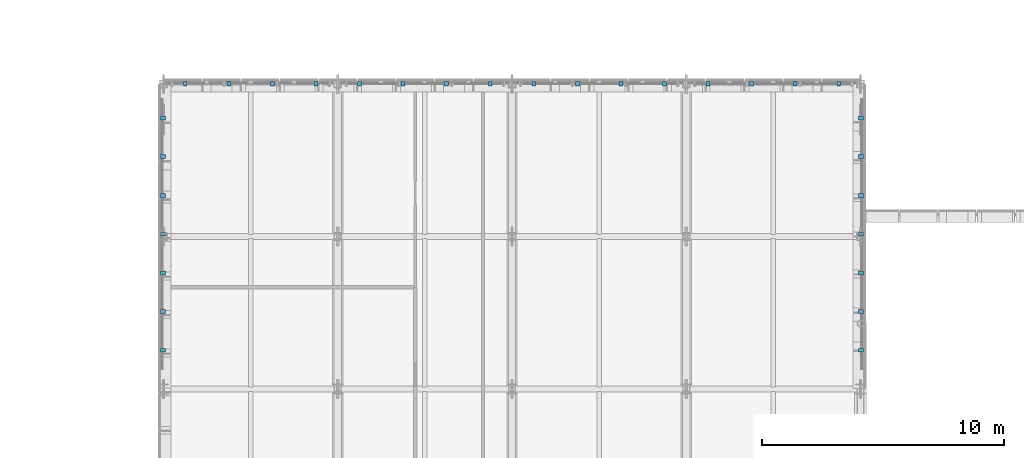
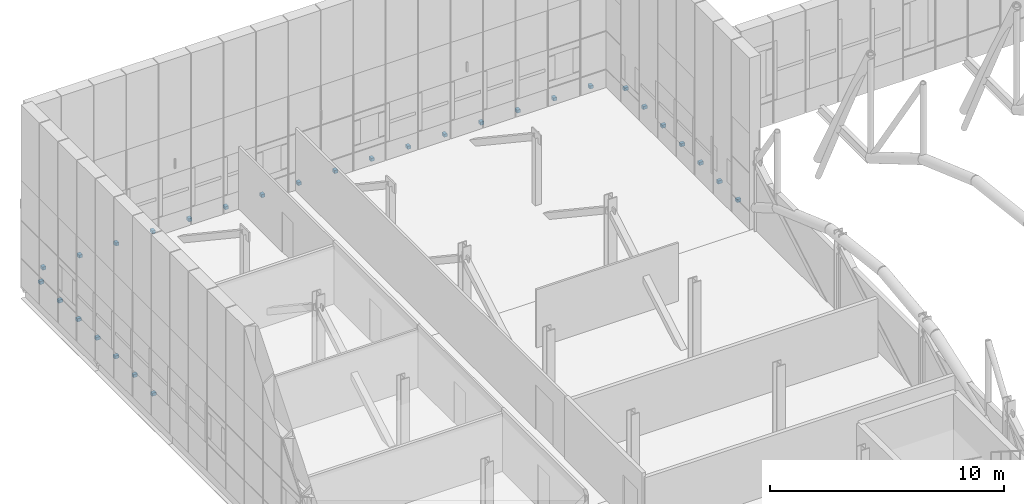
# One storey, part 123 of 144: 30 discrete accessories.
"""IFC4 building model written with IfcOpenShell, lengths in metres."""

from ifc_helpers import new_model, si_unit, direction, frame, origin, origin_2d, place, context, subcontext, project, spatial, rectangle, extrude, material, type_object, element, save


model = new_model("IFC4")

# Units and contexts
model_context = context("Model", 3, precision=1e-05, world=origin(), true_north=direction((0.0, 1.0)))
body_context = subcontext(model_context, "Body", "Model", "MODEL_VIEW")
ifc_project = project(units=[si_unit("LENGTHUNIT", "METRE"), si_unit("AREAUNIT", "SQUARE_METRE"), si_unit("VOLUMEUNIT", "CUBIC_METRE"), si_unit("PLANEANGLEUNIT", "RADIAN"), si_unit("MASSUNIT", "GRAM", prefix="KILO")], contexts=[model_context])

# Site, building, storey
site_placement = place(None, origin())
site = spatial("IfcSite", under=ifc_project, at=site_placement, CompositionType="ELEMENT")
building_placement = place(site_placement, origin())
building = spatial("IfcBuilding", under=site, at=building_placement, Name="Yarey Park Central Fire Station", CompositionType="ELEMENT")
storey_placement = place(building_placement, frame((0.0, 0.0, 10.199951171875)))
storey = spatial("IfcBuildingStorey", under=building, at=storey_placement, Name="L03", CompositionType="ELEMENT", Elevation=10.199951171875)

# Discrete accessories
ifc_material = material(Name="Stainless Steel AISI 316L", Category="steel")
discrete_accessory_type = type_object("IfcDiscreteAccessoryType", Name="ENV_BRK_SS1", PredefinedType="BRACKET", material=ifc_material)
for number, where, z_axis, x_axis, name in (
    (1, (29.699951171875, 99.010009765625, 0.0), (0.0, 0.0, 1.0), (1.0, 0.0, 0.0), "BRK_SCR_L03_N_001"),
    (2, (31.5, 99.010009765625, 0.0), (0.0, 0.0, 1.0), (1.0, 0.0, 0.0), "BRK_SCR_L03_N_002"),
    (3, (33.300048828125, 99.010009765625, 0.0), (0.0, 0.0, 1.0), (1.0, 0.0, 0.0), "BRK_SCR_L03_N_003"),
    (4, (35.10009765625, 99.010009765625, 0.0), (0.0, 0.0, 1.0), (1.0, 0.0, 0.0), "BRK_SCR_L03_N_004"),
    (5, (36.89990234375, 99.010009765625, 0.0), (0.0, 0.0, 1.0), (1.0, 0.0, 0.0), "BRK_SCR_L03_N_005"),
    (6, (38.699951171875, 99.010009765625, 0.0), (0.0, 0.0, 1.0), (1.0, 0.0, 0.0), "BRK_SCR_L03_N_006"),
    (7, (40.5, 99.010009765625, 0.0), (0.0, 0.0, 1.0), (1.0, 0.0, 0.0), "BRK_SCR_L03_N_007"),
    (8, (42.300048828125, 99.010009765625, 0.0), (0.0, 0.0, 1.0), (1.0, 0.0, 0.0), "BRK_SCR_L03_N_008"),
    (9, (44.10009765625, 99.010009765625, 0.0), (0.0, 0.0, 1.0), (1.0, 0.0, 0.0), "BRK_SCR_L03_N_009"),
    (10, (45.89990234375, 99.010009765625, 0.0), (0.0, 0.0, 1.0), (1.0, 0.0, 0.0), "BRK_SCR_L03_N_010"),
    (11, (47.699951171875, 99.010009765625, 0.0), (0.0, 0.0, 1.0), (1.0, 0.0, 0.0), "BRK_SCR_L03_N_011"),
    (12, (49.5, 99.010009765625, 0.0), (0.0, 0.0, 1.0), (1.0, 0.0, 0.0), "BRK_SCR_L03_N_012"),
    (13, (51.300048828125, 99.010009765625, 0.0), (0.0, 0.0, 1.0), (1.0, 0.0, 0.0), "BRK_SCR_L03_N_013"),
    (14, (53.10009765625, 99.010009765625, 0.0), (0.0, 0.0, 1.0), (1.0, 0.0, 0.0), "BRK_SCR_L03_N_014"),
    (15, (54.89990234375, 99.010009765625, 0.0), (0.0, 0.0, 1.0), (1.0, 0.0, 0.0), "BRK_SCR_L03_N_015"),
    (16, (56.699951171875, 99.010009765625, 0.0), (0.0, 0.0, 1.0), (1.0, 0.0, 0.0), "BRK_SCR_L03_N_016"),
):
    element("IfcDiscreteAccessory", number, at=place(storey_placement, frame(where, z_axis=z_axis, x_axis=x_axis)), inside=storey, type_object=discrete_accessory_type, Name=name, PredefinedType="BRACKET", context=body_context, shape_type="SweptSolid", body=[
        extrude(rectangle(XDim=0.159912109375, YDim=0.199951171875, at=origin_2d()), origin(), (0.0, 0.0, 1.0), 0.159912109375),
    ])
for number, where, z_axis, x_axis, name in (
    (17, (28.780029296875, 88.0, 0.419921875), (0.0, 0.0, 1.0), (1.0, 0.0, 0.0), "BRK_SCR_L03_SIDE_017"),
    (18, (57.6201171875, 88.0, 0.419921875), (0.0, 0.0, 1.0), (1.0, 0.0, 0.0), "BRK_SCR_L03_SIDE_018"),
    (19, (28.780029296875, 89.60009765625, 0.419921875), (0.0, 0.0, 1.0), (1.0, 0.0, 0.0), "BRK_SCR_L03_SIDE_019"),
    (20, (57.6201171875, 89.60009765625, 0.419921875), (0.0, 0.0, 1.0), (1.0, 0.0, 0.0), "BRK_SCR_L03_SIDE_020"),
    (21, (28.780029296875, 91.199951171875, 0.419921875), (0.0, 0.0, 1.0), (1.0, 0.0, 0.0), "BRK_SCR_L03_SIDE_021"),
    (22, (57.6201171875, 91.199951171875, 0.419921875), (0.0, 0.0, 1.0), (1.0, 0.0, 0.0), "BRK_SCR_L03_SIDE_022"),
    (23, (28.780029296875, 92.800048828125, 0.419921875), (0.0, 0.0, 1.0), (1.0, 0.0, 0.0), "BRK_SCR_L03_SIDE_023"),
    (24, (57.6201171875, 92.800048828125, 0.419921875), (0.0, 0.0, 1.0), (1.0, 0.0, 0.0), "BRK_SCR_L03_SIDE_024"),
    (25, (28.780029296875, 94.39990234375, 0.419921875), (0.0, 0.0, 1.0), (1.0, 0.0, 0.0), "BRK_SCR_L03_SIDE_025"),
    (26, (57.6201171875, 94.39990234375, 0.419921875), (0.0, 0.0, 1.0), (1.0, 0.0, 0.0), "BRK_SCR_L03_SIDE_026"),
    (27, (28.780029296875, 96.0, 0.419921875), (0.0, 0.0, 1.0), (1.0, 0.0, 0.0), "BRK_SCR_L03_SIDE_027"),
    (28, (57.6201171875, 96.0, 0.419921875), (0.0, 0.0, 1.0), (1.0, 0.0, 0.0), "BRK_SCR_L03_SIDE_028"),
    (29, (28.780029296875, 97.60009765625, 0.419921875), (0.0, 0.0, 1.0), (1.0, 0.0, 0.0), "BRK_SCR_L03_SIDE_029"),
    (30, (57.6201171875, 97.60009765625, 0.419921875), (0.0, 0.0, 1.0), (1.0, 0.0, 0.0), "BRK_SCR_L03_SIDE_030"),
):
    element("IfcDiscreteAccessory", number, at=place(storey_placement, frame(where, z_axis=z_axis, x_axis=x_axis)), inside=storey, type_object=discrete_accessory_type, Name=name, PredefinedType="BRACKET", context=body_context, shape_type="SweptSolid", body=[
        extrude(rectangle(XDim=0.199951171875, YDim=0.159912109375, at=origin_2d()), origin(), (0.0, 0.0, 1.0), 0.159912109375),
    ])

save(model, "model.ifc")
